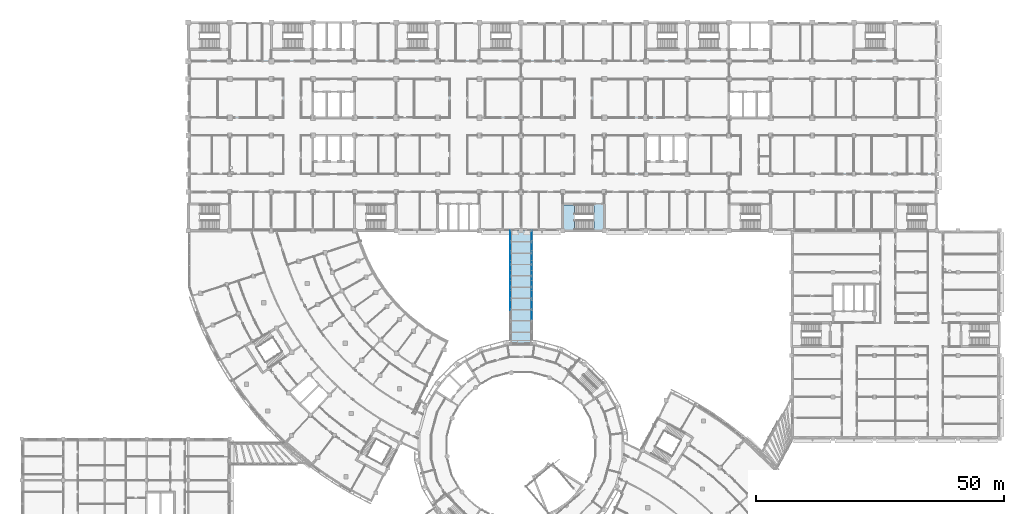
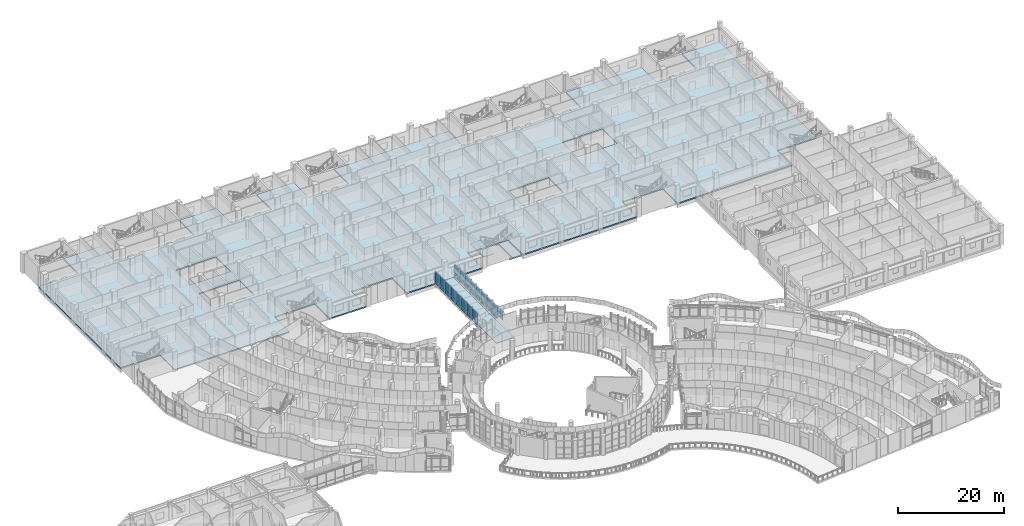
# One storey, part 49 of 136: 33 plates, 4 slabs, 3 elements without a shape of their own.
"""IFC4 building model written with IfcOpenShell, lengths in metres."""

from ifc_helpers import new_model, si_unit, direction, frame, origin, origin_2d, place, context, subcontext, project, spatial, polyline, rectangle, outline, extrude, material, layer, layer_set, type_object, element, aggregate, save


model = new_model("IFC4")

# Units and contexts
model_context = context("Model", 3, precision=1e-05, world=origin(), true_north=direction((0.0, 1.0)))
body_context = subcontext(model_context, "Body", "Model", "MODEL_VIEW")
ifc_project = project(units=[si_unit("LENGTHUNIT", "METRE"), si_unit("AREAUNIT", "SQUARE_METRE"), si_unit("VOLUMEUNIT", "CUBIC_METRE"), si_unit("PLANEANGLEUNIT", "RADIAN"), si_unit("MASSUNIT", "GRAM", prefix="KILO")], contexts=[model_context])

# Site, building, storey
site_placement = place(None, origin())
site = spatial("IfcSite", under=ifc_project, at=site_placement, CompositionType="ELEMENT")
building_placement = place(site_placement, origin())
building = spatial("IfcBuilding", under=site, at=building_placement, Name="Bougainvillea Quay General Hospital", CompositionType="ELEMENT")
storey_placement = place(building_placement, frame((0.0, 0.0, 5.39990234375)))
storey = spatial("IfcBuildingStorey", under=building, at=storey_placement, Name="L01", CompositionType="ELEMENT", Elevation=5.39990234375)

# Curtain wall, plates
ifc_material_1 = material(Name="Aluminium curtain wall system, powder-coated glazed", Category="aluminium")
curtain_wall_type = type_object("IfcCurtainWallType", Name="Unitised curtain wall CW-2100", PredefinedType="NOTDEFINED", material=ifc_material_1)
curtain_wall_1_placement = place(storey_placement, origin())
curtain_wall_1 = element("IfcCurtainWall", 1, at=curtain_wall_1_placement, inside=storey, type_object=curtain_wall_type, Name="BG-L L", PredefinedType="NOTDEFINED")
ifc_material_2 = material(Name="Insulated aluminium spandrel panel, white", Category="aluminium")
ifc_layer_1 = layer(ifc_material_2, 0.028076171875)
ifc_layer_set_1 = layer_set([ifc_layer_1], Name="Insulated aluminium spandrel panel, white")
plate_type_1 = type_object("IfcPlateType", Name="Insulated spandrel panel white 28", PredefinedType="CURTAIN_PANEL", material=ifc_layer_set_1)
plate_1_placement = place(storey_placement, frame((107.0400390625, 102.477294921875, 0.06005859375), z_axis=(0.0, 0.0, 1.0), x_axis=(0.0, 1.0, 0.0)))
plate_1 = element("IfcPlate", 2, at=plate_1_placement, type_object=plate_type_1, Name="BG-L spandrel panel 4.1", PredefinedType="CURTAIN_PANEL", context=body_context, shape_type="SweptSolid", body=[
    extrude(rectangle(XDim=1.956298828125, YDim=0.028076171875, at=origin_2d()), origin(), (0.0, 0.0, 1.0), 0.81005859375),
])
plate_2_placement = place(storey_placement, frame((107.0400390625, 104.49365234375, 0.06005859375), z_axis=(0.0, 0.0, 1.0), x_axis=(0.0, 1.0, 0.0)))
plate_2 = element("IfcPlate", 3, at=plate_2_placement, type_object=plate_type_1, Name="BG-L spandrel panel 5.1", PredefinedType="CURTAIN_PANEL", context=body_context, shape_type="SweptSolid", body=[
    extrude(rectangle(XDim=1.956298828125, YDim=0.028076171875, at=origin_2d()), origin(), (0.0, 0.0, 1.0), 0.81005859375),
])
plate_3_placement = place(storey_placement, frame((107.0400390625, 106.510009765625, 0.06005859375), z_axis=(0.0, 0.0, 1.0), x_axis=(0.0, 1.0, 0.0)))
plate_3 = element("IfcPlate", 4, at=plate_3_placement, type_object=plate_type_1, Name="BG-L spandrel panel 6.1", PredefinedType="CURTAIN_PANEL", context=body_context, shape_type="SweptSolid", body=[
    extrude(rectangle(XDim=1.956298828125, YDim=0.028076171875, at=origin_2d()), origin(), (0.0, 0.0, 1.0), 0.81005859375),
])
plate_4_placement = place(storey_placement, frame((107.0400390625, 108.5263671875, 0.06005859375), z_axis=(0.0, 0.0, 1.0), x_axis=(0.0, 1.0, 0.0)))
plate_4 = element("IfcPlate", 5, at=plate_4_placement, type_object=plate_type_1, Name="BG-L spandrel panel 7.1", PredefinedType="CURTAIN_PANEL", context=body_context, shape_type="SweptSolid", body=[
    extrude(rectangle(XDim=1.956298828125, YDim=0.028076171875, at=origin_2d()), origin(), (0.0, 0.0, 1.0), 0.81005859375),
])
plate_5_placement = place(storey_placement, frame((107.0400390625, 110.542724609375, 0.06005859375), z_axis=(0.0, 0.0, 1.0), x_axis=(0.0, 1.0, 0.0)))
plate_5 = element("IfcPlate", 6, at=plate_5_placement, type_object=plate_type_1, Name="BG-L spandrel panel 8.1", PredefinedType="CURTAIN_PANEL", context=body_context, shape_type="SweptSolid", body=[
    extrude(rectangle(XDim=1.956298828125, YDim=0.028076171875, at=origin_2d()), origin(), (0.0, 0.0, 1.0), 0.81005859375),
])
plate_6_placement = place(storey_placement, frame((107.0400390625, 112.55908203125, 0.06005859375), z_axis=(0.0, 0.0, 1.0), x_axis=(0.0, 1.0, 0.0)))
plate_6 = element("IfcPlate", 7, at=plate_6_placement, type_object=plate_type_1, Name="BG-L spandrel panel 9.1", PredefinedType="CURTAIN_PANEL", context=body_context, shape_type="SweptSolid", body=[
    extrude(rectangle(XDim=1.956298828125, YDim=0.028076171875, at=origin_2d()), origin(), (0.0, 0.0, 1.0), 0.81005859375),
])
plate_7_placement = place(storey_placement, frame((107.0400390625, 114.575439453125, 0.06005859375), z_axis=(0.0, 0.0, 1.0), x_axis=(0.0, 1.0, 0.0)))
plate_7 = element("IfcPlate", 8, at=plate_7_placement, type_object=plate_type_1, Name="BG-L spandrel panel 10.1", PredefinedType="CURTAIN_PANEL", context=body_context, shape_type="SweptSolid", body=[
    extrude(rectangle(XDim=1.956298828125, YDim=0.028076171875, at=origin_2d()), origin(), (0.0, 0.0, 1.0), 0.81005859375),
])
plate_8_placement = place(storey_placement, frame((107.0400390625, 116.576904296875, 0.06005859375), z_axis=(0.0, 0.0, 1.0), x_axis=(0.0, 1.0, 0.0)))
plate_8 = element("IfcPlate", 9, at=plate_8_placement, type_object=plate_type_1, Name="BG-L spandrel panel 11.1", PredefinedType="CURTAIN_PANEL", context=body_context, shape_type="SweptSolid", body=[
    extrude(rectangle(XDim=1.92626953125, YDim=0.028076171875, at=origin_2d()), origin(), (0.0, 0.0, 1.0), 0.81005859375),
])

curtain_wall_2_placement = place(storey_placement, origin())
curtain_wall_2 = element("IfcCurtainWall", 10, at=curtain_wall_2_placement, inside=storey, type_object=curtain_wall_type, Name="BG-R R", PredefinedType="NOTDEFINED")
plate_9_placement = place(storey_placement, frame((111.360107421875, 116.576904296875, 0.06005859375), z_axis=(0.0, 0.0, 1.0), x_axis=(0.0, -1.0, 0.0)))
plate_9 = element("IfcPlate", 11, at=plate_9_placement, type_object=plate_type_1, Name="BG-R spandrel panel 1.1", PredefinedType="CURTAIN_PANEL", context=body_context, shape_type="SweptSolid", body=[
    extrude(rectangle(XDim=1.92626953125, YDim=0.028076171875, at=origin_2d()), origin(), (0.0, 0.0, 1.0), 0.81005859375),
])
plate_10_placement = place(storey_placement, frame((111.360107421875, 114.575439453125, 0.06005859375), z_axis=(0.0, 0.0, 1.0), x_axis=(0.0, -1.0, 0.0)))
plate_10 = element("IfcPlate", 12, at=plate_10_placement, type_object=plate_type_1, Name="BG-R spandrel panel 2.1", PredefinedType="CURTAIN_PANEL", context=body_context, shape_type="SweptSolid", body=[
    extrude(rectangle(XDim=1.956298828125, YDim=0.028076171875, at=origin_2d()), origin(), (0.0, 0.0, 1.0), 0.81005859375),
])
plate_11_placement = place(storey_placement, frame((111.360107421875, 112.55908203125, 0.06005859375), z_axis=(0.0, 0.0, 1.0), x_axis=(0.0, -1.0, 0.0)))
plate_11 = element("IfcPlate", 13, at=plate_11_placement, type_object=plate_type_1, Name="BG-R spandrel panel 3.1", PredefinedType="CURTAIN_PANEL", context=body_context, shape_type="SweptSolid", body=[
    extrude(rectangle(XDim=1.956298828125, YDim=0.028076171875, at=origin_2d()), origin(), (0.0, 0.0, 1.0), 0.81005859375),
])
plate_12_placement = place(storey_placement, frame((111.360107421875, 110.542724609375, 0.06005859375), z_axis=(0.0, 0.0, 1.0), x_axis=(0.0, -1.0, 0.0)))
plate_12 = element("IfcPlate", 14, at=plate_12_placement, type_object=plate_type_1, Name="BG-R spandrel panel 4.1", PredefinedType="CURTAIN_PANEL", context=body_context, shape_type="SweptSolid", body=[
    extrude(rectangle(XDim=1.956298828125, YDim=0.028076171875, at=origin_2d()), origin(), (0.0, 0.0, 1.0), 0.81005859375),
])
plate_13_placement = place(storey_placement, frame((111.360107421875, 108.5263671875, 0.06005859375), z_axis=(0.0, 0.0, 1.0), x_axis=(0.0, -1.0, 0.0)))
plate_13 = element("IfcPlate", 15, at=plate_13_placement, type_object=plate_type_1, Name="BG-R spandrel panel 5.1", PredefinedType="CURTAIN_PANEL", context=body_context, shape_type="SweptSolid", body=[
    extrude(rectangle(XDim=1.956298828125, YDim=0.028076171875, at=origin_2d()), origin(), (0.0, 0.0, 1.0), 0.81005859375),
])
plate_14_placement = place(storey_placement, frame((111.360107421875, 106.510009765625, 0.06005859375), z_axis=(0.0, 0.0, 1.0), x_axis=(0.0, -1.0, 0.0)))
plate_14 = element("IfcPlate", 16, at=plate_14_placement, type_object=plate_type_1, Name="BG-R spandrel panel 6.1", PredefinedType="CURTAIN_PANEL", context=body_context, shape_type="SweptSolid", body=[
    extrude(rectangle(XDim=1.956298828125, YDim=0.028076171875, at=origin_2d()), origin(), (0.0, 0.0, 1.0), 0.81005859375),
])
plate_15_placement = place(storey_placement, frame((111.360107421875, 104.49365234375, 0.06005859375), z_axis=(0.0, 0.0, 1.0), x_axis=(0.0, -1.0, 0.0)))
plate_15 = element("IfcPlate", 17, at=plate_15_placement, type_object=plate_type_1, Name="BG-R spandrel panel 7.1", PredefinedType="CURTAIN_PANEL", context=body_context, shape_type="SweptSolid", body=[
    extrude(rectangle(XDim=1.956298828125, YDim=0.028076171875, at=origin_2d()), origin(), (0.0, 0.0, 1.0), 0.81005859375),
])
plate_16_placement = place(storey_placement, frame((111.360107421875, 102.477294921875, 0.06005859375), z_axis=(0.0, 0.0, 1.0), x_axis=(0.0, -1.0, 0.0)))
plate_16 = element("IfcPlate", 18, at=plate_16_placement, type_object=plate_type_1, Name="BG-R spandrel panel 8.1", PredefinedType="CURTAIN_PANEL", context=body_context, shape_type="SweptSolid", body=[
    extrude(rectangle(XDim=1.956298828125, YDim=0.028076171875, at=origin_2d()), origin(), (0.0, 0.0, 1.0), 0.81005859375),
])

# Plate
ifc_material_3 = material(Name="Low-e laminated glass, solar control", Category="glass")
ifc_layer_2 = layer(ifc_material_3, 0.028076171875)
ifc_layer_set_2 = layer_set([ifc_layer_2], Name="Low-e laminated glass, solar control")
plate_type_2 = type_object("IfcPlateType", Name="Low-e laminated vision glass 28", PredefinedType="CURTAIN_PANEL", material=ifc_layer_set_2)
plate_17_placement = place(storey_placement, frame((107.0400390625, 102.477294921875, 0.93017578125), z_axis=(0.0, 0.0, 1.0), x_axis=(0.0, 1.0, 0.0)))
plate_17 = element("IfcPlate", 19, at=plate_17_placement, type_object=plate_type_2, Name="BG-L vision glass panel 4.2", PredefinedType="CURTAIN_PANEL", context=body_context, shape_type="SweptSolid", body=[
    extrude(rectangle(XDim=1.956298828125, YDim=0.028076171875, at=origin_2d()), origin(), (0.0, 0.0, 1.0), 2.010009765625),
])

plate_18_placement = place(storey_placement, frame((107.0400390625, 104.49365234375, 0.93017578125), z_axis=(0.0, 0.0, 1.0), x_axis=(0.0, 1.0, 0.0)))
plate_18 = element("IfcPlate", 20, at=plate_18_placement, type_object=plate_type_2, Name="BG-L vision glass panel 5.2", PredefinedType="CURTAIN_PANEL", context=body_context, shape_type="SweptSolid", body=[
    extrude(rectangle(XDim=1.956298828125, YDim=0.028076171875, at=origin_2d()), origin(), (0.0, 0.0, 1.0), 2.010009765625),
])

plate_19_placement = place(storey_placement, frame((107.0400390625, 106.510009765625, 0.93017578125), z_axis=(0.0, 0.0, 1.0), x_axis=(0.0, 1.0, 0.0)))
plate_19 = element("IfcPlate", 21, at=plate_19_placement, type_object=plate_type_2, Name="BG-L vision glass panel 6.2", PredefinedType="CURTAIN_PANEL", context=body_context, shape_type="SweptSolid", body=[
    extrude(rectangle(XDim=1.956298828125, YDim=0.028076171875, at=origin_2d()), origin(), (0.0, 0.0, 1.0), 2.010009765625),
])

plate_20_placement = place(storey_placement, frame((107.0400390625, 108.5263671875, 0.93017578125), z_axis=(0.0, 0.0, 1.0), x_axis=(0.0, 1.0, 0.0)))
plate_20 = element("IfcPlate", 22, at=plate_20_placement, type_object=plate_type_2, Name="BG-L vision glass panel 7.2", PredefinedType="CURTAIN_PANEL", context=body_context, shape_type="SweptSolid", body=[
    extrude(rectangle(XDim=1.956298828125, YDim=0.028076171875, at=origin_2d()), origin(), (0.0, 0.0, 1.0), 2.010009765625),
])

plate_21_placement = place(storey_placement, frame((107.0400390625, 110.542724609375, 0.93017578125), z_axis=(0.0, 0.0, 1.0), x_axis=(0.0, 1.0, 0.0)))
plate_21 = element("IfcPlate", 23, at=plate_21_placement, type_object=plate_type_2, Name="BG-L vision glass panel 8.2", PredefinedType="CURTAIN_PANEL", context=body_context, shape_type="SweptSolid", body=[
    extrude(rectangle(XDim=1.956298828125, YDim=0.028076171875, at=origin_2d()), origin(), (0.0, 0.0, 1.0), 2.010009765625),
])

plate_22_placement = place(storey_placement, frame((107.0400390625, 112.55908203125, 0.93017578125), z_axis=(0.0, 0.0, 1.0), x_axis=(0.0, 1.0, 0.0)))
plate_22 = element("IfcPlate", 24, at=plate_22_placement, type_object=plate_type_2, Name="BG-L vision glass panel 9.2", PredefinedType="CURTAIN_PANEL", context=body_context, shape_type="SweptSolid", body=[
    extrude(rectangle(XDim=1.956298828125, YDim=0.028076171875, at=origin_2d()), origin(), (0.0, 0.0, 1.0), 2.010009765625),
])

plate_23_placement = place(storey_placement, frame((107.0400390625, 114.575439453125, 0.93017578125), z_axis=(0.0, 0.0, 1.0), x_axis=(0.0, 1.0, 0.0)))
plate_23 = element("IfcPlate", 25, at=plate_23_placement, type_object=plate_type_2, Name="BG-L vision glass panel 10.2", PredefinedType="CURTAIN_PANEL", context=body_context, shape_type="SweptSolid", body=[
    extrude(rectangle(XDim=1.956298828125, YDim=0.028076171875, at=origin_2d()), origin(), (0.0, 0.0, 1.0), 2.010009765625),
])

plate_24_placement = place(storey_placement, frame((107.0400390625, 116.576904296875, 0.93017578125), z_axis=(0.0, 0.0, 1.0), x_axis=(0.0, 1.0, 0.0)))
plate_24 = element("IfcPlate", 26, at=plate_24_placement, type_object=plate_type_2, Name="BG-L vision glass panel 11.2", PredefinedType="CURTAIN_PANEL", context=body_context, shape_type="SweptSolid", body=[
    extrude(rectangle(XDim=1.92626953125, YDim=0.028076171875, at=origin_2d()), origin(), (0.0, 0.0, 1.0), 2.010009765625),
])

aggregate(curtain_wall_1, [plate_1, plate_17, plate_2, plate_18, plate_3, plate_19, plate_4, plate_20, plate_5, plate_21, plate_6, plate_22, plate_7, plate_23, plate_8, plate_24])

plate_25_placement = place(storey_placement, frame((111.360107421875, 116.576904296875, 0.93017578125), z_axis=(0.0, 0.0, 1.0), x_axis=(0.0, -1.0, 0.0)))
plate_25 = element("IfcPlate", 27, at=plate_25_placement, type_object=plate_type_2, Name="BG-R vision glass panel 1.2", PredefinedType="CURTAIN_PANEL", context=body_context, shape_type="SweptSolid", body=[
    extrude(rectangle(XDim=1.92626953125, YDim=0.028076171875, at=origin_2d()), origin(), (0.0, 0.0, 1.0), 2.010009765625),
])

plate_26_placement = place(storey_placement, frame((111.360107421875, 114.575439453125, 0.93017578125), z_axis=(0.0, 0.0, 1.0), x_axis=(0.0, -1.0, 0.0)))
plate_26 = element("IfcPlate", 28, at=plate_26_placement, type_object=plate_type_2, Name="BG-R vision glass panel 2.2", PredefinedType="CURTAIN_PANEL", context=body_context, shape_type="SweptSolid", body=[
    extrude(rectangle(XDim=1.956298828125, YDim=0.028076171875, at=origin_2d()), origin(), (0.0, 0.0, 1.0), 2.010009765625),
])

plate_27_placement = place(storey_placement, frame((111.360107421875, 112.55908203125, 0.93017578125), z_axis=(0.0, 0.0, 1.0), x_axis=(0.0, -1.0, 0.0)))
plate_27 = element("IfcPlate", 29, at=plate_27_placement, type_object=plate_type_2, Name="BG-R vision glass panel 3.2", PredefinedType="CURTAIN_PANEL", context=body_context, shape_type="SweptSolid", body=[
    extrude(rectangle(XDim=1.956298828125, YDim=0.028076171875, at=origin_2d()), origin(), (0.0, 0.0, 1.0), 2.010009765625),
])

plate_28_placement = place(storey_placement, frame((111.360107421875, 110.542724609375, 0.93017578125), z_axis=(0.0, 0.0, 1.0), x_axis=(0.0, -1.0, 0.0)))
plate_28 = element("IfcPlate", 30, at=plate_28_placement, type_object=plate_type_2, Name="BG-R vision glass panel 4.2", PredefinedType="CURTAIN_PANEL", context=body_context, shape_type="SweptSolid", body=[
    extrude(rectangle(XDim=1.956298828125, YDim=0.028076171875, at=origin_2d()), origin(), (0.0, 0.0, 1.0), 2.010009765625),
])

plate_29_placement = place(storey_placement, frame((111.360107421875, 108.5263671875, 0.93017578125), z_axis=(0.0, 0.0, 1.0), x_axis=(0.0, -1.0, 0.0)))
plate_29 = element("IfcPlate", 31, at=plate_29_placement, type_object=plate_type_2, Name="BG-R vision glass panel 5.2", PredefinedType="CURTAIN_PANEL", context=body_context, shape_type="SweptSolid", body=[
    extrude(rectangle(XDim=1.956298828125, YDim=0.028076171875, at=origin_2d()), origin(), (0.0, 0.0, 1.0), 2.010009765625),
])

plate_30_placement = place(storey_placement, frame((111.360107421875, 106.510009765625, 0.93017578125), z_axis=(0.0, 0.0, 1.0), x_axis=(0.0, -1.0, 0.0)))
plate_30 = element("IfcPlate", 32, at=plate_30_placement, type_object=plate_type_2, Name="BG-R vision glass panel 6.2", PredefinedType="CURTAIN_PANEL", context=body_context, shape_type="SweptSolid", body=[
    extrude(rectangle(XDim=1.956298828125, YDim=0.028076171875, at=origin_2d()), origin(), (0.0, 0.0, 1.0), 2.010009765625),
])

plate_31_placement = place(storey_placement, frame((111.360107421875, 104.49365234375, 0.93017578125), z_axis=(0.0, 0.0, 1.0), x_axis=(0.0, -1.0, 0.0)))
plate_31 = element("IfcPlate", 33, at=plate_31_placement, type_object=plate_type_2, Name="BG-R vision glass panel 7.2", PredefinedType="CURTAIN_PANEL", context=body_context, shape_type="SweptSolid", body=[
    extrude(rectangle(XDim=1.956298828125, YDim=0.028076171875, at=origin_2d()), origin(), (0.0, 0.0, 1.0), 2.010009765625),
])

plate_32_placement = place(storey_placement, frame((111.360107421875, 102.477294921875, 0.93017578125), z_axis=(0.0, 0.0, 1.0), x_axis=(0.0, -1.0, 0.0)))
plate_32 = element("IfcPlate", 34, at=plate_32_placement, type_object=plate_type_2, Name="BG-R vision glass panel 8.2", PredefinedType="CURTAIN_PANEL", context=body_context, shape_type="SweptSolid", body=[
    extrude(rectangle(XDim=1.956298828125, YDim=0.028076171875, at=origin_2d()), origin(), (0.0, 0.0, 1.0), 2.010009765625),
])

plate_33_placement = place(storey_placement, frame((111.360107421875, 100.4609375, 0.93017578125), z_axis=(0.0, 0.0, 1.0), x_axis=(0.0, -1.0, 0.0)))
plate_33 = element("IfcPlate", 35, at=plate_33_placement, type_object=plate_type_2, Name="BG-R vision glass panel 9.2", PredefinedType="CURTAIN_PANEL", context=body_context, shape_type="SweptSolid", body=[
    extrude(rectangle(XDim=1.956298828125, YDim=0.028076171875, at=origin_2d()), origin(), (0.0, 0.0, 1.0), 2.010009765625),
])

aggregate(curtain_wall_2, [plate_9, plate_25, plate_10, plate_26, plate_11, plate_27, plate_12, plate_28, plate_13, plate_29, plate_14, plate_30, plate_15, plate_31, plate_16, plate_32, plate_33])

# Slabs
ifc_material_4 = material(Name="Concrete C35", Category="concrete")
ifc_layer_3 = layer(ifc_material_4, 0.1201171875)
ifc_layer_set_3 = layer_set([ifc_layer_3], Name="Concrete C35")
slab_type_1 = type_object("IfcSlabType", Name="RC BRIDGE DECK 120 C35", PredefinedType="FLOOR", material=ifc_layer_set_3)
slab_1_placement = place(storey_placement, frame((0.0, 0.0, -0.119873046875)))
element("IfcSlab", 36, at=slab_1_placement, inside=storey, type_object=slab_type_1, Name="Bridge deck", PredefinedType="FLOOR", context=body_context, shape_type="SweptSolid", body=[
    extrude(outline(polyline([(107.300048828125, 117.60009765625), (107.300048828125, 94.820068359375), (111.10009765625, 94.820068359375), (111.10009765625, 117.60009765625), (107.300048828125, 117.60009765625)])), origin(), (0.0, 0.0, 1.0), 0.119873046875),
])
ifc_layer_4 = layer(ifc_material_4, 0.300048828125)
ifc_layer_set_4 = layer_set([ifc_layer_4], Name="Concrete C35")
slab_type_2 = type_object("IfcSlabType", Name="RC FLAT SLAB 300 C35", PredefinedType="FLOOR", material=ifc_layer_set_4)
slab_2_placement = place(storey_placement, frame((0.0, 0.0, -0.2998046875)))
element("IfcSlab", 37, at=slab_2_placement, inside=storey, type_object=slab_type_2, Name="Slab S3 L01", PredefinedType="FLOOR", context=body_context, shape_type="SweptSolid", body=[
    extrude(outline(polyline([(83.824951171875, 159.60009765625), (75.77490234375, 159.60009765625), (75.77490234375, 154.02490234375), (75.425048828125, 154.02490234375), (72.800048828125, 154.02490234375), (70.0, 154.02490234375), (67.199951171875, 154.02490234375), (58.97509765625, 154.02490234375), (58.625, 154.02490234375), (58.625, 159.425048828125), (58.625, 159.60009765625), (50.574951171875, 159.60009765625), (50.574951171875, 154.02490234375), (50.22509765625, 154.02490234375), (42.175048828125, 154.02490234375), (42.0, 154.02490234375), (42.0, 123.175048828125), (50.22509765625, 123.175048828125), (50.574951171875, 123.175048828125), (50.574951171875, 117.60009765625), (75.425048828125, 117.60009765625), (75.425048828125, 122.824951171875), (75.425048828125, 123.175048828125), (83.824951171875, 123.175048828125), (84.175048828125, 123.175048828125), (84.175048828125, 117.60009765625), (92.22509765625, 117.60009765625), (92.22509765625, 122.824951171875), (92.22509765625, 123.175048828125), (94.5, 123.175048828125), (96.60009765625, 123.175048828125), (98.699951171875, 123.175048828125), (100.625, 123.175048828125), (100.97509765625, 123.175048828125), (100.97509765625, 117.60009765625), (117.425048828125, 117.60009765625), (117.425048828125, 122.824951171875), (117.425048828125, 123.175048828125), (125.824951171875, 123.175048828125), (126.175048828125, 123.175048828125), (126.175048828125, 117.60009765625), (151.02490234375, 117.60009765625), (151.02490234375, 122.824951171875), (151.02490234375, 123.175048828125), (159.425048828125, 123.175048828125), (159.77490234375, 123.175048828125), (159.77490234375, 117.60009765625), (184.625, 117.60009765625), (184.625, 122.824951171875), (184.625, 123.175048828125), (193.02490234375, 123.175048828125), (193.199951171875, 123.175048828125), (193.199951171875, 159.60009765625), (184.97509765625, 159.60009765625), (184.97509765625, 154.02490234375), (184.625, 154.02490234375), (176.574951171875, 154.02490234375), (176.22509765625, 154.02490234375), (176.22509765625, 159.425048828125), (176.22509765625, 159.60009765625), (159.77490234375, 159.60009765625), (159.77490234375, 154.02490234375), (159.425048828125, 154.02490234375), (155.39990234375, 154.02490234375), (151.199951171875, 154.02490234375), (142.800048828125, 154.02490234375), (134.574951171875, 154.02490234375), (134.22509765625, 154.02490234375), (134.22509765625, 159.425048828125), (134.22509765625, 159.60009765625), (109.375, 159.60009765625), (109.375, 154.02490234375), (109.02490234375, 154.02490234375), (100.97509765625, 154.02490234375), (100.625, 154.02490234375), (100.625, 159.425048828125), (100.625, 159.60009765625), (92.574951171875, 159.60009765625), (92.574951171875, 154.02490234375), (92.22509765625, 154.02490234375), (84.175048828125, 154.02490234375), (83.824951171875, 154.02490234375), (83.824951171875, 159.425048828125), (83.824951171875, 159.60009765625)]), holes=[polyline([(151.02490234375, 145.425048828125), (151.02490234375, 145.77490234375), (154.0, 145.77490234375), (156.800048828125, 145.77490234375), (159.425048828125, 145.77490234375), (159.77490234375, 145.77490234375), (159.77490234375, 140.22509765625), (159.425048828125, 140.22509765625), (156.800048828125, 140.22509765625), (154.0, 140.22509765625), (151.375, 140.22509765625), (151.02490234375, 140.22509765625), (151.02490234375, 145.425048828125)]), polyline([(134.22509765625, 136.97509765625), (137.199951171875, 136.97509765625), (140.0, 136.97509765625), (142.625, 136.97509765625), (142.97509765625, 136.97509765625), (142.97509765625, 131.425048828125), (142.625, 131.425048828125), (140.0, 131.425048828125), (137.199951171875, 131.425048828125), (134.574951171875, 131.425048828125), (134.22509765625, 131.425048828125), (134.22509765625, 136.625), (134.22509765625, 136.97509765625)]), polyline([(67.02490234375, 140.22509765625), (67.02490234375, 145.425048828125), (67.02490234375, 145.77490234375), (70.0, 145.77490234375), (72.800048828125, 145.77490234375), (75.425048828125, 145.77490234375), (75.77490234375, 145.77490234375), (75.77490234375, 140.22509765625), (75.425048828125, 140.22509765625), (72.800048828125, 140.22509765625), (70.0, 140.22509765625), (67.375, 140.22509765625), (67.02490234375, 140.22509765625)]), polyline([(67.02490234375, 131.425048828125), (67.02490234375, 136.625), (67.02490234375, 136.97509765625), (70.0, 136.97509765625), (72.800048828125, 136.97509765625), (75.425048828125, 136.97509765625), (75.77490234375, 136.97509765625), (75.77490234375, 131.425048828125), (75.425048828125, 131.425048828125), (72.800048828125, 131.425048828125), (70.0, 131.425048828125), (67.375, 131.425048828125), (67.02490234375, 131.425048828125)])]), origin(), (0.0, 0.0, 1.0), 0.2998046875),
])
slab_3_placement = place(storey_placement, frame((0.0, 0.0, -0.2998046875)))
element("IfcSlab", 38, at=slab_3_placement, inside=storey, type_object=slab_type_2, Name="Stair landing floor ST-B3 L01", PredefinedType="FLOOR", context=body_context, shape_type="SweptSolid", body=[
    extrude(outline(polyline([(123.302978515625, 122.8837890625), (123.3115234375, 122.942138671875), (123.325927734375, 122.99951171875), (126.0, 123.0), (126.0, 117.60009765625), (123.325927734375, 117.600341796875), (123.3115234375, 117.657958984375), (123.302978515625, 117.71630859375), (123.300048828125, 117.77392578125), (123.900634765625, 117.7744140625), (123.900634765625, 122.82568359375), (123.300048828125, 122.825927734375), (123.302978515625, 122.8837890625)])), origin(), (0.0, 0.0, 1.0), 0.2998046875),
])

# Stair, slab
stair_type = type_object("IfcStairType", Name="Stair half-turn 1925 wide", PredefinedType="HALF_TURN_STAIR", material=ifc_material_4)
stair_placement = place(storey_placement, origin())
stair = element("IfcStair", 39, at=stair_placement, inside=storey, type_object=stair_type, Name="L01 stair ST-B3", PredefinedType="HALF_TURN_STAIR")
ifc_layer_5 = layer(ifc_material_4, 0.199951171875)
ifc_layer_set_5 = layer_set([ifc_layer_5], Name="Concrete C35")
slab_type_3 = type_object("IfcSlabType", Name="Stair landing 200", PredefinedType="LANDING", material=ifc_layer_set_5)
slab_4_placement = place(storey_placement, frame((0.0, 0.0, 2.050048828125)))
slab_4 = element("IfcSlab", 40, at=slab_4_placement, type_object=slab_type_3, Name="ST-B3 landing 1", PredefinedType="LANDING", context=body_context, shape_type="SweptSolid", body=[
    extrude(outline(polyline([(119.97998046875, 122.824951171875), (117.77490234375, 122.824951171875), (117.77490234375, 117.77490234375), (119.97998046875, 117.77490234375), (119.97998046875, 122.824951171875)])), origin(), (0.0, 0.0, 1.0), 0.199951171875),
])
aggregate(stair, [slab_4])

save(model, "model.ifc")
